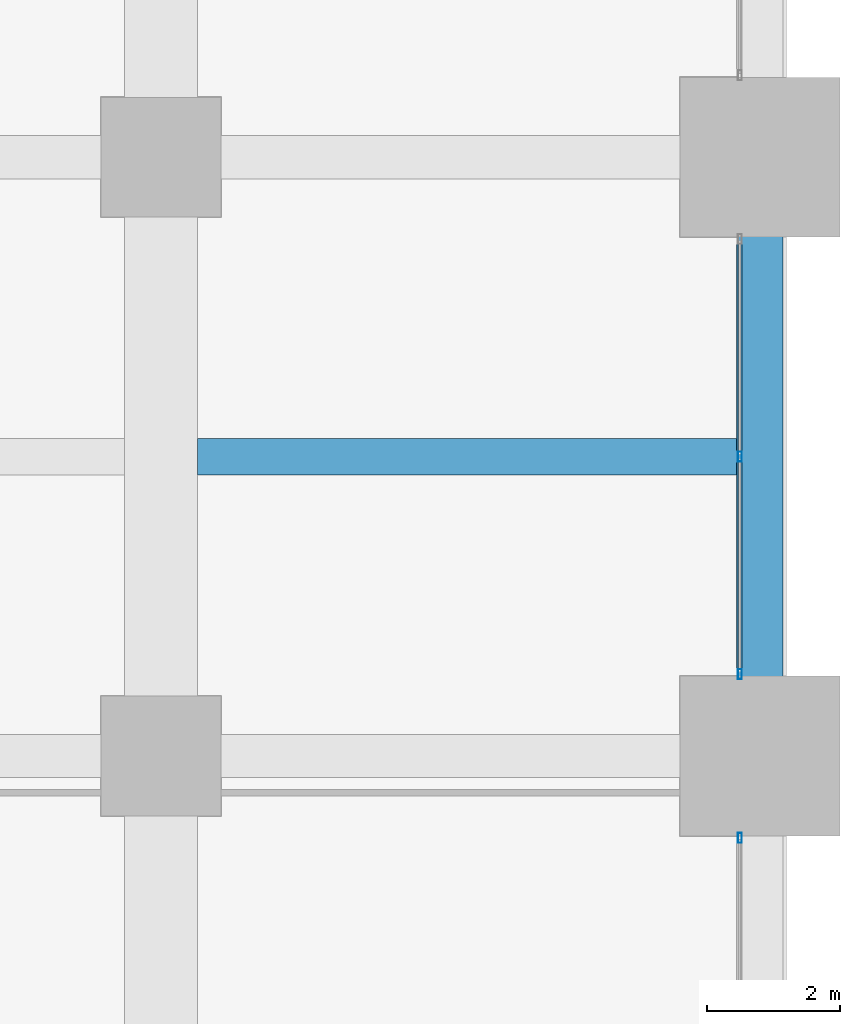
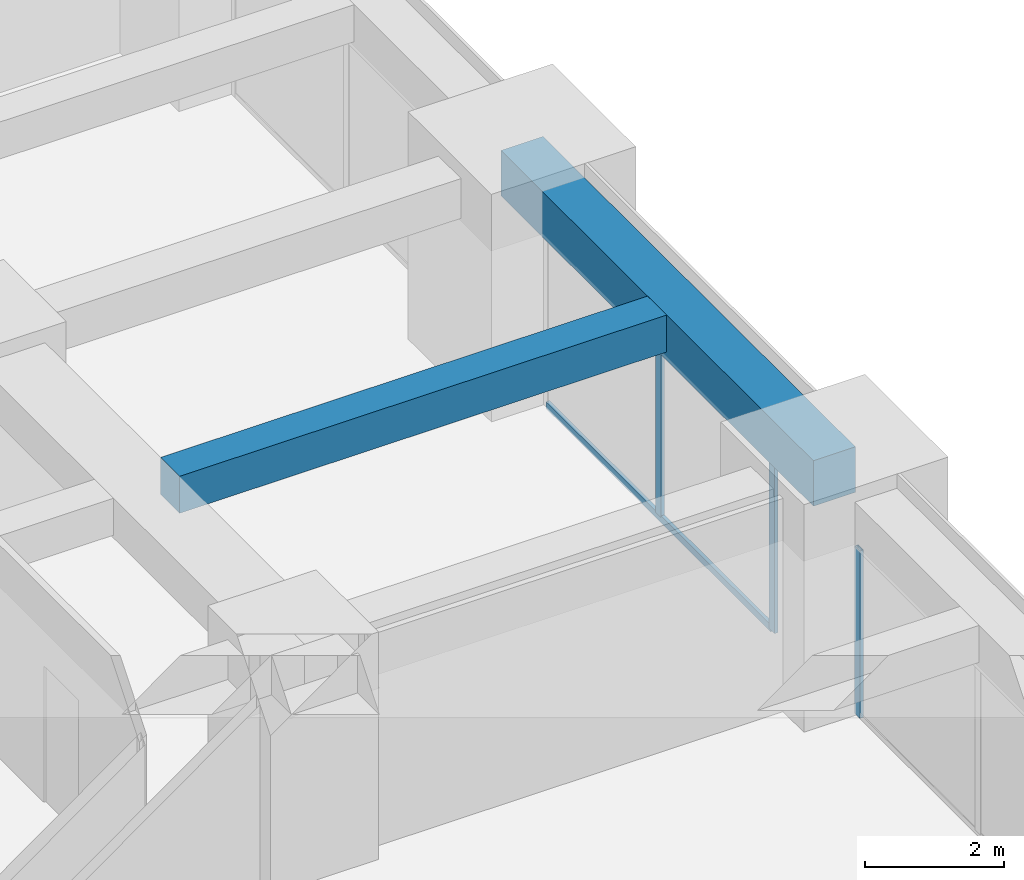
# One storey, part 21 of 39: 4 members, 2 beams, 2 elements without a shape of their own.
"""IFC4 building model written with IfcOpenShell, lengths in metres."""

from ifc_helpers import new_model, si_unit, direction, frame, origin, origin_2d, place, context, subcontext, project, spatial, rectangle, hollow_rectangle, extrude, material, material_profile, profile_set, type_object, element, aggregate, save


model = new_model("IFC4")

# Units and contexts
model_context = context("Model", 3, precision=1e-05, world=origin(), true_north=direction((0.0, 1.0)))
body_context = subcontext(model_context, "Body", "Model", "MODEL_VIEW")
ifc_project = project(units=[si_unit("LENGTHUNIT", "METRE"), si_unit("AREAUNIT", "SQUARE_METRE"), si_unit("VOLUMEUNIT", "CUBIC_METRE"), si_unit("PLANEANGLEUNIT", "RADIAN"), si_unit("MASSUNIT", "GRAM", prefix="KILO")], contexts=[model_context])

# Site, building, storey
site_placement = place(None, origin())
site = spatial("IfcSite", under=ifc_project, at=site_placement, CompositionType="ELEMENT")
building_placement = place(site_placement, origin())
building = spatial("IfcBuilding", under=site, at=building_placement, Name="Zorevar Civic Tower", CompositionType="ELEMENT")
storey_placement = place(building_placement, frame((0.0, 0.0, 125.0)))
storey = spatial("IfcBuildingStorey", under=building, at=storey_placement, Name="L30", CompositionType="ELEMENT", Elevation=125.0)

# Beam
ifc_material_1 = material(Name="Concrete C50/60", Category="concrete")
ifc_material_profile_1 = material_profile(ifc_material_1, rectangle(XDim=0.550048828125, YDim=0.64990234375, at=origin_2d()), Name="RC 550x650")
ifc_profile_set_1 = profile_set([ifc_material_profile_1], Name="Concrete C50/60")
beam_type_1 = type_object("IfcBeamType", Name="Beam RC 550x650", PredefinedType="BEAM", material=ifc_profile_set_1)
beam_1_placement = place(storey_placement, frame((54.550048828125, 22.5, 3.425048828125), z_axis=(1.0, 0.0, 0.0), x_axis=(0.0, 1.0, 0.0)))
element("IfcBeam", 1, at=beam_1_placement, inside=storey, type_object=beam_type_1, Name="Secondary beam L31", PredefinedType="BEAM", context=body_context, shape_type="SweptSolid", body=[
    extrude(rectangle(XDim=0.550048828125, YDim=0.64990234375, at=origin_2d()), origin(), (0.0, 0.0, 1.0), 8.099853515625),
])

# Curtain wall, member
ifc_material_2 = material(Name="Dark grey solar-control glass in black aluminium frame", Category="aluminium")
curtain_wall_type = type_object("IfcCurtainWallType", Name="Curtain wall CW3 mid zone", PredefinedType="NOTDEFINED", material=ifc_material_2)
curtain_wall_1_placement = place(storey_placement, origin())
curtain_wall_1 = element("IfcCurtainWall", 2, at=curtain_wall_1_placement, inside=storey, type_object=curtain_wall_type, Name="CW3 L30", PredefinedType="NOTDEFINED")
ifc_material_3 = material(Name="Aluminium, black anodised", Category="aluminium")
ifc_material_profile_2 = material_profile(ifc_material_3, hollow_rectangle(XDim=0.06005859375, YDim=0.14990234375, WallThickness=0.00390625, at=origin_2d()), Name="AL 150x60x4")
ifc_profile_set_2 = profile_set([ifc_material_profile_2], Name="Aluminium, black anodised")
member_type_1 = type_object("IfcMemberType", Name="CW3 mullion AL 150x60x4", PredefinedType="MULLION", material=ifc_profile_set_2)
member_1_placement = place(storey_placement, frame((62.699951171875, 16.77001953125, 0.0), z_axis=(0.0, 0.0, 1.0), x_axis=(-1.0, 0.0, 0.0)))
member_1 = element("IfcMember", 3, at=member_1_placement, type_object=member_type_1, Name="CW3 mullion 3", PredefinedType="MULLION", context=body_context, shape_type="SweptSolid", body=[
    extrude(hollow_rectangle(XDim=0.06005859375, YDim=0.14990234375, WallThickness=0.00390625, at=origin_2d()), origin(), (0.0, 0.0, 1.0), 2.949951171875),
])
aggregate(curtain_wall_1, [member_1])

# Curtain wall, members
curtain_wall_2_placement = place(storey_placement, origin())
curtain_wall_2 = element("IfcCurtainWall", 4, at=curtain_wall_2_placement, inside=storey, type_object=curtain_wall_type, Name="CW3 L30", PredefinedType="NOTDEFINED")
member_2_placement = place(storey_placement, frame((62.699951171875, 19.22998046875, 0.0), z_axis=(0.0, 0.0, 1.0), x_axis=(-1.0, 0.0, 0.0)))
member_2 = element("IfcMember", 5, at=member_2_placement, type_object=member_type_1, Name="CW3 mullion 1", PredefinedType="MULLION", context=body_context, shape_type="SweptSolid", body=[
    extrude(hollow_rectangle(XDim=0.06005859375, YDim=0.14990234375, WallThickness=0.00390625, at=origin_2d()), origin(), (0.0, 0.0, 1.0), 2.949951171875),
])
member_3_placement = place(storey_placement, frame((62.699951171875, 22.5, 0.06005859375), z_axis=(0.0, 0.0, 1.0), x_axis=(-1.0, 0.0, 0.0)))
member_3 = element("IfcMember", 6, at=member_3_placement, type_object=member_type_1, Name="CW3 mullion 2", PredefinedType="MULLION", context=body_context, shape_type="SweptSolid", body=[
    extrude(hollow_rectangle(XDim=0.06005859375, YDim=0.14990234375, WallThickness=0.00390625, at=origin_2d()), origin(), (0.0, 0.0, 1.0), 2.889892578125),
])
ifc_material_4 = material(Name="Aluminium, black anodised", Category="aluminium")
ifc_material_profile_3 = material_profile(ifc_material_4, hollow_rectangle(XDim=0.06005859375, YDim=0.1201171875, WallThickness=0.0029296875, at=origin_2d()), Name="AL 120x60x3")
ifc_profile_set_3 = profile_set([ifc_material_profile_3], Name="Aluminium, black anodised")
member_type_2 = type_object("IfcMemberType", Name="CW3 transom AL 120x60x3", PredefinedType="USERDEFINED", material=ifc_profile_set_3)
member_4_placement = place(storey_placement, frame((62.699951171875, 19.260009765625, 0.030029296875), z_axis=(0.0, 1.0, 0.0), x_axis=(-1.0, 0.0, 0.0)))
member_4 = element("IfcMember", 7, at=member_4_placement, type_object=member_type_2, Name="CW3 sill transom", ObjectType="TRANSOM", PredefinedType="USERDEFINED", context=body_context, shape_type="SweptSolid", body=[
    extrude(hollow_rectangle(XDim=0.06005859375, YDim=0.1201171875, WallThickness=0.0029296875, at=origin_2d()), origin(), (0.0, 0.0, 1.0), 6.47998046875),
])
aggregate(curtain_wall_2, [member_2, member_3, member_4])

# Beam
ifc_material_5 = material(Name="Concrete C50/60", Category="concrete")
ifc_material_profile_4 = material_profile(ifc_material_5, rectangle(XDim=0.699951171875, YDim=0.800048828125, at=origin_2d()), Name="RC 700x800")
ifc_profile_set_4 = profile_set([ifc_material_profile_4], Name="Concrete C50/60")
beam_type_2 = type_object("IfcBeamType", Name="Edge beam RC 700x800", PredefinedType="SPANDREL", material=ifc_profile_set_4)
beam_2_placement = place(storey_placement, frame((63.0, 18.0, 3.35009765625), z_axis=(0.0, 1.0, 0.0), x_axis=(-1.0, 0.0, 0.0)))
element("IfcBeam", 8, at=beam_2_placement, inside=storey, type_object=beam_type_2, Name="Edge beam L31", PredefinedType="SPANDREL", context=body_context, shape_type="SweptSolid", body=[
    extrude(rectangle(XDim=0.699951171875, YDim=0.800048828125, at=origin_2d()), origin(), (0.0, 0.0, 1.0), 9.0),
])

save(model, "model.ifc")
